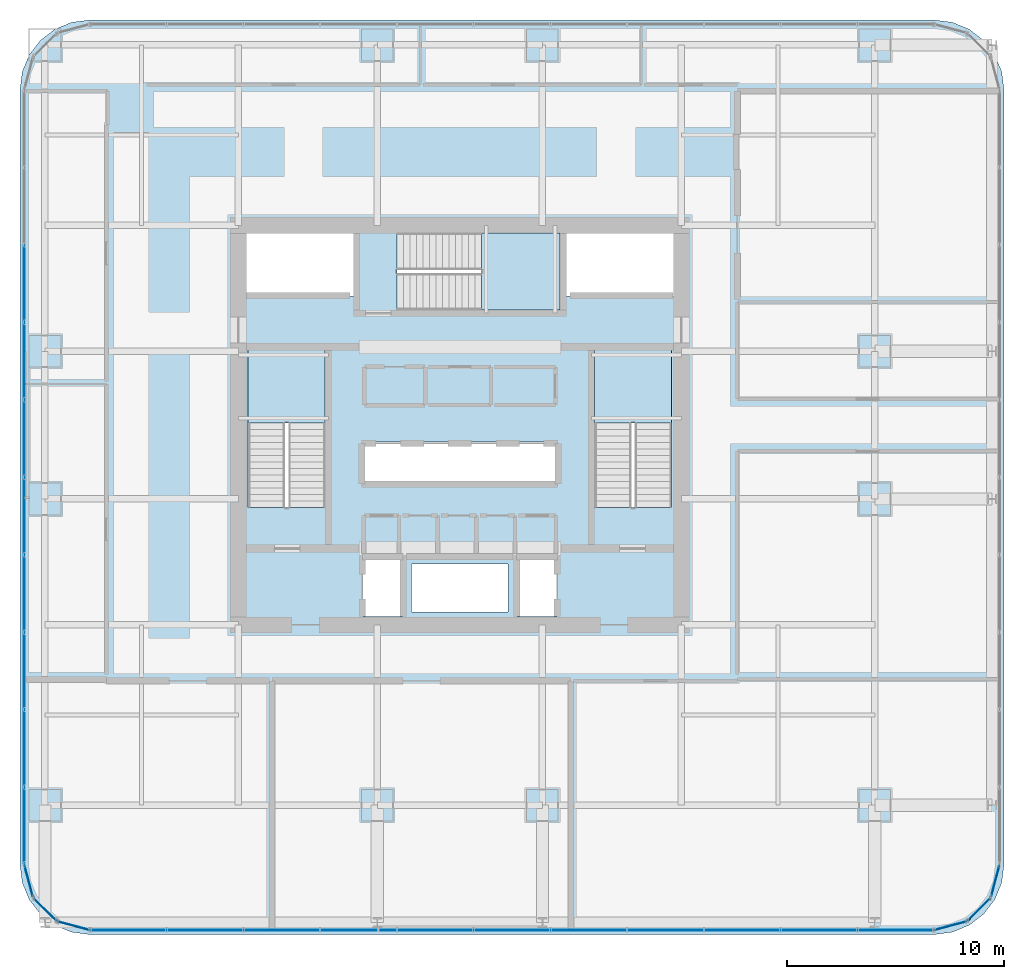
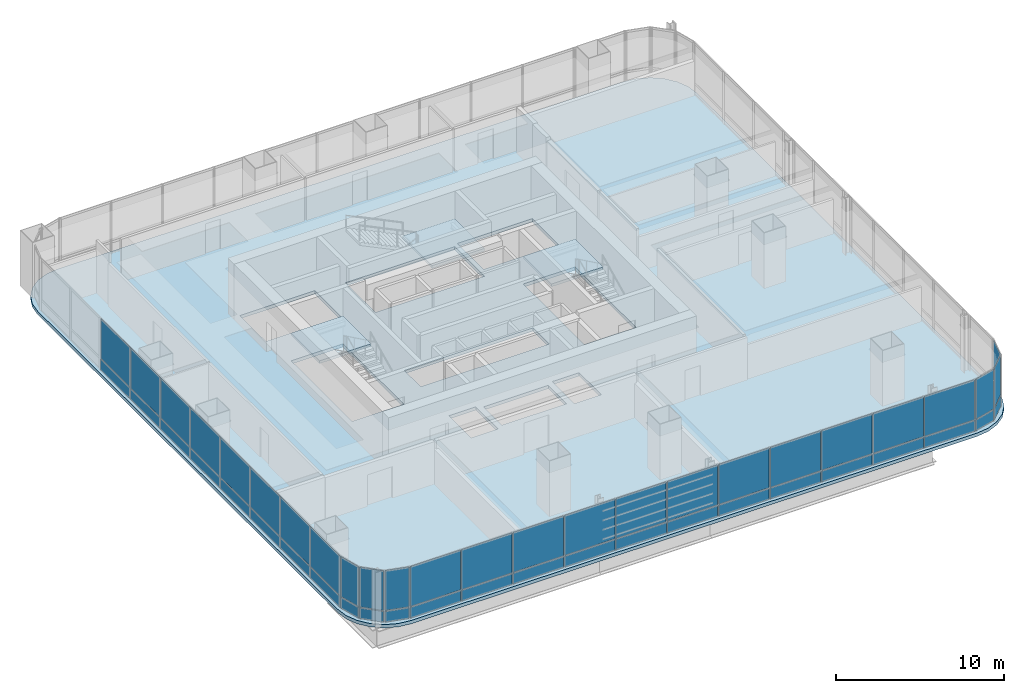
# One storey, part 25 of 34: 50 plates, 4 slabs, 11 elements without a shape of their own.
"""IFC4 building model written with IfcOpenShell, lengths in metres."""

import ifcopenshell
import ifcopenshell.guid

model = None  # the IFC model being written
_history = None  # IfcOwnerHistory: only IFC2X3 demands one
_inside = {}  # id of a spatial element -> (the spatial element, [elements in it])
_under = {}  # id of a project, library or spatial element -> (it, [spatial elements below it])
_declared = {}  # id of a project -> (the project, [libraries it declares])
_typed = {}  # id of a type object -> (the type object, [elements of that type])
_made_of = {}  # id of a material, layer set ... -> (it, [elements and type objects made of it])


def new_model(schema):
    """Start an empty IFC model of exactly this schema.

    Asked for "IFC4X3", IfcOpenShell would pick the latest addendum, in which some entities
    have other attributes; the version numbers below select the first issue.
    IFC2X3 requires an IfcOwnerHistory on every rooted entity: one is made here for all.
    """
    global model, _history
    if schema == "IFC4X3":
        model = ifcopenshell.file(schema_version=(4, 3, 0, 0))
    else:
        model = ifcopenshell.file(schema=schema)
    _inside.clear()
    _under.clear()
    _declared.clear()
    _typed.clear()
    _made_of.clear()
    _history = None
    if model.schema == "IFC2X3":
        org = make("IfcOrganization", Name="unknown")
        user = make(
            "IfcPersonAndOrganization",
            ThePerson=make("IfcPerson", FamilyName="unknown"),
            TheOrganization=org,
        )
        app = make(
            "IfcApplication",
            ApplicationDeveloper=org,
            Version="unknown",
            ApplicationFullName="unknown",
            ApplicationIdentifier="unknown",
        )
        _history = make(
            "IfcOwnerHistory",
            OwningUser=user,
            OwningApplication=app,
            ChangeAction="ADDED",
            CreationDate=0,
        )
    return model


def make(cls, **values):
    """One entity of the class cls with the attributes given. An attribute that is None is left unset."""
    return model.create_entity(
        cls, **{name: value for name, value in values.items() if value is not None}
    )


def rooted(cls, **values):
    """An entity with a GlobalId (a new one), such as an element, a storey or a relation."""
    return make(cls, GlobalId=ifcopenshell.guid.new(), OwnerHistory=_history, **values)


def si_unit(unit_type, name, prefix=None):
    """IfcSIUnit, for example si_unit("LENGTHUNIT", "METRE", prefix="MILLI")."""
    return make("IfcSIUnit", UnitType=unit_type, Prefix=prefix, Name=name)


def assignment(units):
    """IfcUnitAssignment: the units of a project."""
    return None if units is None else make("IfcUnitAssignment", Units=units)


def point(xyz):
    """IfcCartesianPoint."""
    return None if xyz is None else make("IfcCartesianPoint", Coordinates=xyz)


def direction(xyz):
    """IfcDirection."""
    return None if xyz is None else make("IfcDirection", DirectionRatios=xyz)


def frame(location, z_axis=None, x_axis=None):
    """IfcAxis2Placement3D, a coordinate frame: its origin and axes. An axis left out is left unset."""
    return make(
        "IfcAxis2Placement3D",
        Location=point(location),
        Axis=direction(z_axis),
        RefDirection=direction(x_axis),
    )


def frame_2d(location, x_axis=None):
    """IfcAxis2Placement2D, a coordinate frame in the plane: its origin and x axis."""
    return make(
        "IfcAxis2Placement2D", Location=point(location), RefDirection=direction(x_axis)
    )


def origin():
    """The frame at (0, 0, 0) with its axes left unset."""
    return frame((0.0, 0.0, 0.0))


def origin_2d():
    """The frame at (0, 0) in the plane with its x axis left unset."""
    return frame_2d((0.0, 0.0))


def place(relative_to, where):
    """IfcLocalPlacement: puts the frame where relative to a parent placement (None: the world)."""
    return make(
        "IfcLocalPlacement", PlacementRelTo=relative_to, RelativePlacement=where
    )


def context(
    kind, dimensions, precision=None, world=None, true_north=None, identifier=None
):
    """IfcGeometricRepresentationContext, for example the 3D "Model" context."""
    return make(
        "IfcGeometricRepresentationContext",
        ContextIdentifier=identifier,
        ContextType=kind,
        CoordinateSpaceDimension=dimensions,
        Precision=precision,
        WorldCoordinateSystem=world,
        TrueNorth=true_north,
    )


def subcontext(parent, identifier, kind, view, scale=None):
    """IfcGeometricRepresentationSubContext, for example "Body" below "Model"."""
    return make(
        "IfcGeometricRepresentationSubContext",
        ContextIdentifier=identifier,
        ContextType=kind,
        ParentContext=parent,
        TargetScale=scale,
        TargetView=view,
    )


def project(units=None, contexts=None):
    """IfcProject with its units and contexts."""
    return rooted(
        "IfcProject",
        Name="project",
        RepresentationContexts=contexts,
        UnitsInContext=assignment(units),
    )


def spatial(cls, under=None, at=None, **own):
    """A site, building, storey or space (cls), placed at a placement, below another one or the project."""
    s = rooted(cls, ObjectPlacement=at, **own)
    if under is not None:
        _under.setdefault(under.id(), (under, []))[1].append(s)
    return s


def polyline(points):
    """IfcPolyline through the points."""
    return make("IfcPolyline", Points=[point(p) for p in points])


def profile(cls, at=None, kind="AREA", **sizes):
    """A parametric profile (cls). Its sizes go by their IFC names, for example OverallWidth=200.0."""
    return make(cls, ProfileType=kind, Position=at, **sizes)


def rectangle(**sizes):
    """IfcRectangleProfileDef."""
    return profile("IfcRectangleProfileDef", **sizes)


def outline(outer, holes=None, kind="AREA"):
    """IfcArbitraryClosedProfileDef: a profile drawn as a closed curve; with holes, ...WithVoids."""
    if holes is None:
        return make("IfcArbitraryClosedProfileDef", ProfileType=kind, OuterCurve=outer)
    return make(
        "IfcArbitraryProfileDefWithVoids",
        ProfileType=kind,
        OuterCurve=outer,
        InnerCurves=holes,
    )


def extrude(swept, where, along, depth):
    """IfcExtrudedAreaSolid: the profile swept, set in the frame where, extruded along a direction by depth."""
    return make(
        "IfcExtrudedAreaSolid",
        SweptArea=swept,
        Position=where,
        ExtrudedDirection=direction(along),
        Depth=depth,
    )


def shape(context_of_items, identifier, shape_type, items):
    """IfcShapeRepresentation: the items that make up one representation, for example the "Body"."""
    return make(
        "IfcShapeRepresentation",
        ContextOfItems=context_of_items,
        RepresentationIdentifier=identifier,
        RepresentationType=shape_type,
        Items=items,
    )


def material(Name=None, Category=None):
    """IfcMaterial."""
    return make("IfcMaterial", Name=Name, Category=Category)


def layer(
    of_material, thickness, ventilated=None, Name=None, Category=None, Priority=None
):
    """IfcMaterialLayer: one layer of a wall or slab, of a material (None: an air gap)."""
    return make(
        "IfcMaterialLayer",
        Material=of_material,
        LayerThickness=thickness,
        IsVentilated=ventilated,
        Name=Name,
        Category=Category,
        Priority=Priority,
    )


def layer_set(layers, Name=None):
    """IfcMaterialLayerSet."""
    return make("IfcMaterialLayerSet", MaterialLayers=layers, LayerSetName=Name)


def made_of(thing, what):
    """Note that an element or type object is made of a material, layer set ...; save() writes the relation."""
    if what is not None:
        _made_of.setdefault(what.id(), (what, []))[1].append(thing)
    return thing


def type_object(cls, material=None, **own):
    """A type object (cls), such as IfcWallType, which elements share."""
    return made_of(rooted(cls, **own), material)


def element(
    cls,
    number,
    at=None,
    inside=None,
    cuts=None,
    type_object=None,
    material=None,
    context=None,
    identifier="Body",
    shape_type=None,
    held_by="IfcProductDefinitionShape",
    body=None,
    shapes=None,
    **own,
):
    """One element of the class cls, such as IfcWall. Its Tag is "e" and its number.

    at: its placement. inside: the storey or other place that contains it. cuts: it is an
    opening in that element (IfcRelVoidsElement). A single representation is given by context,
    identifier, shape_type and body (its items); several are given by shapes. held_by: the class
    of the entity that holds the representations. save() writes the other relations.
    """
    e = rooted(cls, Tag="e%d" % number, ObjectPlacement=at, **own)
    if body is not None:
        shapes = [shape(context, identifier, shape_type, body)]
    if shapes is not None:
        e.Representation = make(held_by, Representations=shapes)
    if inside is not None:
        _inside.setdefault(inside.id(), (inside, []))[1].append(e)
    if cuts is not None:
        rooted(
            "IfcRelVoidsElement", RelatingBuildingElement=cuts, RelatedOpeningElement=e
        )
    if type_object is not None:
        _typed.setdefault(type_object.id(), (type_object, []))[1].append(e)
    return made_of(e, material)


def aggregate(whole, parts):
    """IfcRelAggregates: a whole, such as a stair, and the parts it consists of."""
    return rooted("IfcRelAggregates", RelatingObject=whole, RelatedObjects=parts)


def save(model, path):
    """Write the relations noted so far, then the file.

    IfcRelAggregates (storeys below a building ...), IfcRelContainedInSpatialStructure (elements
    in a storey), IfcRelDefinesByType, IfcRelAssociatesMaterial and IfcRelDeclares: one each for
    every whole, place, type object, material and project.
    """
    for whole, parts in _under.values():
        aggregate(whole, parts)
    for where, things in _inside.values():
        rooted(
            "IfcRelContainedInSpatialStructure",
            RelatedElements=things,
            RelatingStructure=where,
        )
    for kind, things in _typed.values():
        rooted("IfcRelDefinesByType", RelatedObjects=things, RelatingType=kind)
    for what, things in _made_of.values():
        rooted("IfcRelAssociatesMaterial", RelatedObjects=things, RelatingMaterial=what)
    for by, libraries in _declared.values():
        rooted("IfcRelDeclares", RelatingContext=by, RelatedDefinitions=libraries)
    model.write(path)


model = new_model("IFC4")

# Units and contexts
model_context = context("Model", 3, precision=1e-05, world=origin(), true_north=direction((0.0, 1.0)))
body_context = subcontext(model_context, "Body", "Model", "MODEL_VIEW")
ifc_project = project(units=[si_unit("LENGTHUNIT", "METRE"), si_unit("AREAUNIT", "SQUARE_METRE"), si_unit("VOLUMEUNIT", "CUBIC_METRE"), si_unit("PLANEANGLEUNIT", "RADIAN"), si_unit("MASSUNIT", "GRAM", prefix="KILO")], contexts=[model_context])

# Site, building, storey
site_placement = place(None, origin())
site = spatial("IfcSite", under=ifc_project, at=site_placement, CompositionType="ELEMENT")
building_placement = place(site_placement, origin())
building = spatial("IfcBuilding", under=site, at=building_placement, Name="Punatoya Terracotta Tower", CompositionType="ELEMENT")
storey_placement = place(building_placement, frame((0.0, 0.0, 80.85009765625)))
storey = spatial("IfcBuildingStorey", under=building, at=storey_placement, Name="L18", CompositionType="ELEMENT", Elevation=80.85009765625)

# Curtain wall, plates
ifc_material_1 = material(Name="Aluminium 6063-T6 + Double Low-E Glass", Category="aluminium")
curtain_wall_type = type_object("IfcCurtainWallType", Name="CW-M1", PredefinedType="NOTDEFINED", material=ifc_material_1)
curtain_wall_1_placement = place(storey_placement, origin())
curtain_wall_1 = element("IfcCurtainWall", 1, at=curtain_wall_1_placement, inside=storey, type_object=curtain_wall_type, Name="L18 Curtain Wall CW-L18-S01-1", PredefinedType="NOTDEFINED")
ifc_material_2 = material(Name="Double Low-E Clear Vision Glass", Category="glass")
ifc_layer_1 = layer(ifc_material_2, 0.028076171875)
ifc_layer_set_1 = layer_set([ifc_layer_1], Name="Double Low-E Clear Vision Glass")
plate_type_1 = type_object("IfcPlateType", Name="PLT-GLZ-28", PredefinedType="CURTAIN_PANEL", material=ifc_layer_set_1)
plate_1_placement = place(storey_placement, frame((-15.27001953125, -23.25, 0.889892578125), z_axis=(0.0, 0.0, 1.0), x_axis=(1.0, 0.0, 0.0)))
plate_1 = element("IfcPlate", 2, at=plate_1_placement, type_object=plate_type_1, Name="CW-L18-S01-1 Vision Glass Panel 1", PredefinedType="CURTAIN_PANEL", context=body_context, shape_type="SweptSolid", body=[
    extrude(rectangle(XDim=3.448974609375, YDim=0.028076171875, at=origin_2d()), origin(), (0.0, 0.0, 1.0), 2.8798828125),
])
plate_2_placement = place(storey_placement, frame((-11.73583984375, -23.25, 0.889892578125), z_axis=(0.0, 0.0, 1.0), x_axis=(1.0, 0.0, 0.0)))
plate_2 = element("IfcPlate", 3, at=plate_2_placement, type_object=plate_type_1, Name="CW-L18-S01-1 Vision Glass Panel 2", PredefinedType="CURTAIN_PANEL", context=body_context, shape_type="SweptSolid", body=[
    extrude(rectangle(XDim=3.448974609375, YDim=0.028076171875, at=origin_2d()), origin(), (0.0, 0.0, 1.0), 2.8798828125),
])
plate_3_placement = place(storey_placement, frame((-8.201904296875, -23.25, 0.889892578125), z_axis=(0.0, 0.0, 1.0), x_axis=(1.0, 0.0, 0.0)))
plate_3 = element("IfcPlate", 4, at=plate_3_placement, type_object=plate_type_1, Name="CW-L18-S01-1 Vision Glass Panel 3", PredefinedType="CURTAIN_PANEL", context=body_context, shape_type="SweptSolid", body=[
    extrude(rectangle(XDim=3.448974609375, YDim=0.028076171875, at=origin_2d()), origin(), (0.0, 0.0, 1.0), 2.8798828125),
])
plate_4_placement = place(storey_placement, frame((-4.66796875, -23.25, 0.889892578125), z_axis=(0.0, 0.0, 1.0), x_axis=(1.0, 0.0, 0.0)))
plate_4 = element("IfcPlate", 5, at=plate_4_placement, type_object=plate_type_1, Name="CW-L18-S01-1 Vision Glass Panel 4", PredefinedType="CURTAIN_PANEL", context=body_context, shape_type="SweptSolid", body=[
    extrude(rectangle(XDim=3.448974609375, YDim=0.028076171875, at=origin_2d()), origin(), (0.0, 0.0, 1.0), 2.8798828125),
])
plate_5_placement = place(storey_placement, frame((-1.134033203125, -23.25, 0.889892578125), z_axis=(0.0, 0.0, 1.0), x_axis=(1.0, 0.0, 0.0)))
plate_5 = element("IfcPlate", 6, at=plate_5_placement, type_object=plate_type_1, Name="CW-L18-S01-1 Vision Glass Panel 5", PredefinedType="CURTAIN_PANEL", context=body_context, shape_type="SweptSolid", body=[
    extrude(rectangle(XDim=3.448974609375, YDim=0.028076171875, at=origin_2d()), origin(), (0.0, 0.0, 1.0), 2.8798828125),
])
plate_6_placement = place(storey_placement, frame((2.39990234375, -23.25, 0.889892578125), z_axis=(0.0, 0.0, 1.0), x_axis=(1.0, 0.0, 0.0)))
plate_6 = element("IfcPlate", 7, at=plate_6_placement, type_object=plate_type_1, Name="CW-L18-S01-1 Vision Glass Panel 6", PredefinedType="CURTAIN_PANEL", context=body_context, shape_type="SweptSolid", body=[
    extrude(rectangle(XDim=3.448974609375, YDim=0.028076171875, at=origin_2d()), origin(), (0.0, 0.0, 1.0), 2.8798828125),
])
plate_7_placement = place(storey_placement, frame((5.93408203125, -23.25, 0.889892578125), z_axis=(0.0, 0.0, 1.0), x_axis=(1.0, 0.0, 0.0)))
plate_7 = element("IfcPlate", 8, at=plate_7_placement, type_object=plate_type_1, Name="CW-L18-S01-1 Vision Glass Panel 7", PredefinedType="CURTAIN_PANEL", context=body_context, shape_type="SweptSolid", body=[
    extrude(rectangle(XDim=3.448974609375, YDim=0.028076171875, at=origin_2d()), origin(), (0.0, 0.0, 1.0), 2.8798828125),
])
plate_8_placement = place(storey_placement, frame((9.468017578125, -23.25, 0.889892578125), z_axis=(0.0, 0.0, 1.0), x_axis=(1.0, 0.0, 0.0)))
plate_8 = element("IfcPlate", 9, at=plate_8_placement, type_object=plate_type_1, Name="CW-L18-S01-1 Vision Glass Panel 8", PredefinedType="CURTAIN_PANEL", context=body_context, shape_type="SweptSolid", body=[
    extrude(rectangle(XDim=3.448974609375, YDim=0.028076171875, at=origin_2d()), origin(), (0.0, 0.0, 1.0), 2.8798828125),
])
plate_9_placement = place(storey_placement, frame((13.001953125, -23.25, 0.889892578125), z_axis=(0.0, 0.0, 1.0), x_axis=(1.0, 0.0, 0.0)))
plate_9 = element("IfcPlate", 10, at=plate_9_placement, type_object=plate_type_1, Name="CW-L18-S01-1 Vision Glass Panel 9", PredefinedType="CURTAIN_PANEL", context=body_context, shape_type="SweptSolid", body=[
    extrude(rectangle(XDim=3.448974609375, YDim=0.028076171875, at=origin_2d()), origin(), (0.0, 0.0, 1.0), 2.8798828125),
])
plate_10_placement = place(storey_placement, frame((16.535888671875, -23.25, 0.889892578125), z_axis=(0.0, 0.0, 1.0), x_axis=(1.0, 0.0, 0.0)))
plate_10 = element("IfcPlate", 11, at=plate_10_placement, type_object=plate_type_1, Name="CW-L18-S01-1 Vision Glass Panel 10", PredefinedType="CURTAIN_PANEL", context=body_context, shape_type="SweptSolid", body=[
    extrude(rectangle(XDim=3.448974609375, YDim=0.028076171875, at=origin_2d()), origin(), (0.0, 0.0, 1.0), 2.8798828125),
])
plate_11_placement = place(storey_placement, frame((20.06982421875, -23.25, 0.889892578125), z_axis=(0.0, 0.0, 1.0), x_axis=(1.0, 0.0, 0.0)))
plate_11 = element("IfcPlate", 12, at=plate_11_placement, type_object=plate_type_1, Name="CW-L18-S01-1 Vision Glass Panel 11", PredefinedType="CURTAIN_PANEL", context=body_context, shape_type="SweptSolid", body=[
    extrude(rectangle(XDim=3.448974609375, YDim=0.028076171875, at=origin_2d()), origin(), (0.0, 0.0, 1.0), 2.8798828125),
])

# Curtain wall, plate
curtain_wall_2_placement = place(storey_placement, origin())
curtain_wall_2 = element("IfcCurtainWall", 13, at=curtain_wall_2_placement, inside=storey, type_object=curtain_wall_type, Name="L18 Curtain Wall CW-L18-CRN02", PredefinedType="NOTDEFINED")
plate_12_placement = place(storey_placement, frame((22.593017578125, -23.04833984375, 0.889892578125), z_axis=(0.0, 0.0, 1.0), x_axis=(0.966213877436, 0.257741620719, 0.0)))
plate_12 = element("IfcPlate", 14, at=plate_12_placement, type_object=plate_type_1, Name="CW-L18-CRN02 Vision Glass Panel 1", PredefinedType="CURTAIN_PANEL", context=body_context, shape_type="SweptSolid", body=[
    extrude(rectangle(XDim=1.47998046875, YDim=0.028076171875, at=origin_2d()), origin(), (0.0, 0.0, 1.0), 2.8798828125),
])

curtain_wall_3_placement = place(storey_placement, origin())
curtain_wall_3 = element("IfcCurtainWall", 15, at=curtain_wall_3_placement, inside=storey, type_object=curtain_wall_type, Name="L18 Curtain Wall CW-L18-CRN03", PredefinedType="NOTDEFINED")
plate_13_placement = place(storey_placement, frame((23.89794921875, -22.2978515625, 0.889892578125), z_axis=(0.0, 0.0, 1.0), x_axis=(0.707106781187, 0.707106781187, 0.0)))
plate_13 = element("IfcPlate", 16, at=plate_13_placement, type_object=plate_type_1, Name="CW-L18-CRN03 Vision Glass Panel 1", PredefinedType="CURTAIN_PANEL", context=body_context, shape_type="SweptSolid", body=[
    extrude(rectangle(XDim=1.467041015625, YDim=0.028076171875, at=origin_2d()), origin(), (0.0, 0.0, 1.0), 2.8798828125),
])

curtain_wall_4_placement = place(storey_placement, origin())
curtain_wall_4 = element("IfcCurtainWall", 17, at=curtain_wall_4_placement, inside=storey, type_object=curtain_wall_type, Name="L18 Curtain Wall CW-L18-CRN04", PredefinedType="NOTDEFINED")
plate_14_placement = place(storey_placement, frame((24.648193359375, -20.992919921875, 0.889892578125), z_axis=(0.0, 0.0, 1.0), x_axis=(0.257741620719, 0.966213877436, 0.0)))
plate_14 = element("IfcPlate", 18, at=plate_14_placement, type_object=plate_type_1, Name="CW-L18-CRN04 Vision Glass Panel 1", PredefinedType="CURTAIN_PANEL", context=body_context, shape_type="SweptSolid", body=[
    extrude(rectangle(XDim=1.47998046875, YDim=0.028076171875, at=origin_2d()), origin(), (0.0, 0.0, 1.0), 2.8798828125),
])

# Curtain wall, plates
curtain_wall_5_placement = place(storey_placement, origin())
curtain_wall_5 = element("IfcCurtainWall", 19, at=curtain_wall_5_placement, inside=storey, type_object=curtain_wall_type, Name="L18 Curtain Wall CW-L18-W13-1", PredefinedType="NOTDEFINED")
plate_15_placement = place(storey_placement, frame((-20.050048828125, 6.518310546875, 0.889892578125), z_axis=(0.0, 0.0, 1.0), x_axis=(0.0, -1.0, 0.0)))
plate_15 = element("IfcPlate", 20, at=plate_15_placement, type_object=plate_type_1, Name="CW-L18-W13-1 Vision Glass Panel 3", PredefinedType="CURTAIN_PANEL", context=body_context, shape_type="SweptSolid", body=[
    extrude(rectangle(XDim=3.482421875, YDim=0.028076171875, at=origin_2d()), origin(), (0.0, 0.0, 1.0), 2.8798828125),
])
plate_16_placement = place(storey_placement, frame((-20.050048828125, 2.951171875, 0.889892578125), z_axis=(0.0, 0.0, 1.0), x_axis=(0.0, -1.0, 0.0)))
plate_16 = element("IfcPlate", 21, at=plate_16_placement, type_object=plate_type_1, Name="CW-L18-W13-1 Vision Glass Panel 4", PredefinedType="CURTAIN_PANEL", context=body_context, shape_type="SweptSolid", body=[
    extrude(rectangle(XDim=3.482421875, YDim=0.028076171875, at=origin_2d()), origin(), (0.0, 0.0, 1.0), 2.8798828125),
])
plate_17_placement = place(storey_placement, frame((-20.050048828125, -0.6162109375, 0.889892578125), z_axis=(0.0, 0.0, 1.0), x_axis=(0.0, -1.0, 0.0)))
plate_17 = element("IfcPlate", 22, at=plate_17_placement, type_object=plate_type_1, Name="CW-L18-W13-1 Vision Glass Panel 5", PredefinedType="CURTAIN_PANEL", context=body_context, shape_type="SweptSolid", body=[
    extrude(rectangle(XDim=3.482421875, YDim=0.028076171875, at=origin_2d()), origin(), (0.0, 0.0, 1.0), 2.8798828125),
])
plate_18_placement = place(storey_placement, frame((-20.050048828125, -4.18359375, 0.889892578125), z_axis=(0.0, 0.0, 1.0), x_axis=(0.0, -1.0, 0.0)))
plate_18 = element("IfcPlate", 23, at=plate_18_placement, type_object=plate_type_1, Name="CW-L18-W13-1 Vision Glass Panel 6", PredefinedType="CURTAIN_PANEL", context=body_context, shape_type="SweptSolid", body=[
    extrude(rectangle(XDim=3.482421875, YDim=0.028076171875, at=origin_2d()), origin(), (0.0, 0.0, 1.0), 2.8798828125),
])
plate_19_placement = place(storey_placement, frame((-20.050048828125, -7.751220703125, 0.889892578125), z_axis=(0.0, 0.0, 1.0), x_axis=(0.0, -1.0, 0.0)))
plate_19 = element("IfcPlate", 24, at=plate_19_placement, type_object=plate_type_1, Name="CW-L18-W13-1 Vision Glass Panel 7", PredefinedType="CURTAIN_PANEL", context=body_context, shape_type="SweptSolid", body=[
    extrude(rectangle(XDim=3.482421875, YDim=0.028076171875, at=origin_2d()), origin(), (0.0, 0.0, 1.0), 2.8798828125),
])
plate_20_placement = place(storey_placement, frame((-20.050048828125, -11.318359375, 0.889892578125), z_axis=(0.0, 0.0, 1.0), x_axis=(0.0, -1.0, 0.0)))
plate_20 = element("IfcPlate", 25, at=plate_20_placement, type_object=plate_type_1, Name="CW-L18-W13-1 Vision Glass Panel 8", PredefinedType="CURTAIN_PANEL", context=body_context, shape_type="SweptSolid", body=[
    extrude(rectangle(XDim=3.482421875, YDim=0.028076171875, at=origin_2d()), origin(), (0.0, 0.0, 1.0), 2.8798828125),
])
plate_21_placement = place(storey_placement, frame((-20.050048828125, -14.8857421875, 0.889892578125), z_axis=(0.0, 0.0, 1.0), x_axis=(0.0, -1.0, 0.0)))
plate_21 = element("IfcPlate", 26, at=plate_21_placement, type_object=plate_type_1, Name="CW-L18-W13-1 Vision Glass Panel 9", PredefinedType="CURTAIN_PANEL", context=body_context, shape_type="SweptSolid", body=[
    extrude(rectangle(XDim=3.482421875, YDim=0.028076171875, at=origin_2d()), origin(), (0.0, 0.0, 1.0), 2.8798828125),
])
plate_22_placement = place(storey_placement, frame((-20.050048828125, -18.453125, 0.889892578125), z_axis=(0.0, 0.0, 1.0), x_axis=(0.0, -1.0, 0.0)))
plate_22 = element("IfcPlate", 27, at=plate_22_placement, type_object=plate_type_1, Name="CW-L18-W13-1 Vision Glass Panel 10", PredefinedType="CURTAIN_PANEL", context=body_context, shape_type="SweptSolid", body=[
    extrude(rectangle(XDim=3.482421875, YDim=0.028076171875, at=origin_2d()), origin(), (0.0, 0.0, 1.0), 2.8798828125),
])

# Curtain wall, plate
curtain_wall_6_placement = place(storey_placement, origin())
curtain_wall_6 = element("IfcCurtainWall", 28, at=curtain_wall_6_placement, inside=storey, type_object=curtain_wall_type, Name="L18 Curtain Wall CW-L18-CRN14", PredefinedType="NOTDEFINED")
plate_23_placement = place(storey_placement, frame((-19.848388671875, -20.992919921875, 0.889892578125), z_axis=(0.0, 0.0, 1.0), x_axis=(0.257741620719, -0.966213877436, 0.0)))
plate_23 = element("IfcPlate", 29, at=plate_23_placement, type_object=plate_type_1, Name="CW-L18-CRN14 Vision Glass Panel 1", PredefinedType="CURTAIN_PANEL", context=body_context, shape_type="SweptSolid", body=[
    extrude(rectangle(XDim=1.47998046875, YDim=0.028076171875, at=origin_2d()), origin(), (0.0, 0.0, 1.0), 2.8798828125),
])

curtain_wall_7_placement = place(storey_placement, origin())
curtain_wall_7 = element("IfcCurtainWall", 30, at=curtain_wall_7_placement, inside=storey, type_object=curtain_wall_type, Name="L18 Curtain Wall CW-L18-CRN15", PredefinedType="NOTDEFINED")
plate_24_placement = place(storey_placement, frame((-19.097900390625, -22.2978515625, 0.889892578125), z_axis=(0.0, 0.0, 1.0), x_axis=(0.707106781187, -0.707106781187, 0.0)))
plate_24 = element("IfcPlate", 31, at=plate_24_placement, type_object=plate_type_1, Name="CW-L18-CRN15 Vision Glass Panel 1", PredefinedType="CURTAIN_PANEL", context=body_context, shape_type="SweptSolid", body=[
    extrude(rectangle(XDim=1.467041015625, YDim=0.028076171875, at=origin_2d()), origin(), (0.0, 0.0, 1.0), 2.8798828125),
])

curtain_wall_8_placement = place(storey_placement, origin())
curtain_wall_8 = element("IfcCurtainWall", 32, at=curtain_wall_8_placement, inside=storey, type_object=curtain_wall_type, Name="L18 Curtain Wall CW-L18-CRN16", PredefinedType="NOTDEFINED")
plate_25_placement = place(storey_placement, frame((-17.79296875, -23.04833984375, 0.889892578125), z_axis=(0.0, 0.0, 1.0), x_axis=(0.966213877436, -0.257741620719, 0.0)))
plate_25 = element("IfcPlate", 33, at=plate_25_placement, type_object=plate_type_1, Name="CW-L18-CRN16 Vision Glass Panel 1", PredefinedType="CURTAIN_PANEL", context=body_context, shape_type="SweptSolid", body=[
    extrude(rectangle(XDim=1.47998046875, YDim=0.028076171875, at=origin_2d()), origin(), (0.0, 0.0, 1.0), 2.8798828125),
])

# Plate
ifc_material_3 = material(Name="Insulated Terracotta-Backed Spandrel Panel", Category="masonry")
ifc_layer_2 = layer(ifc_material_3, 0.044921875)
ifc_layer_set_2 = layer_set([ifc_layer_2], Name="Insulated Terracotta-Backed Spandrel Panel")
plate_type_2 = type_object("IfcPlateType", Name="PLT-SPN-45", PredefinedType="CURTAIN_PANEL", material=ifc_layer_set_2)
plate_26_placement = place(storey_placement, frame((-15.27001953125, -23.25, 0.0400390625), z_axis=(0.0, 0.0, 1.0), x_axis=(1.0, 0.0, 0.0)))
plate_26 = element("IfcPlate", 34, at=plate_26_placement, type_object=plate_type_2, Name="CW-L18-S01-1 Terracotta Spandrel Panel 1", PredefinedType="CURTAIN_PANEL", context=body_context, shape_type="SweptSolid", body=[
    extrude(rectangle(XDim=3.448974609375, YDim=0.044921875, at=origin_2d()), origin(), (0.0, 0.0, 1.0), 0.77490234375),
])

plate_27_placement = place(storey_placement, frame((-11.73583984375, -23.25, 0.0400390625), z_axis=(0.0, 0.0, 1.0), x_axis=(1.0, 0.0, 0.0)))
plate_27 = element("IfcPlate", 35, at=plate_27_placement, type_object=plate_type_2, Name="CW-L18-S01-1 Terracotta Spandrel Panel 2", PredefinedType="CURTAIN_PANEL", context=body_context, shape_type="SweptSolid", body=[
    extrude(rectangle(XDim=3.448974609375, YDim=0.044921875, at=origin_2d()), origin(), (0.0, 0.0, 1.0), 0.77490234375),
])

plate_28_placement = place(storey_placement, frame((-8.201904296875, -23.25, 0.0400390625), z_axis=(0.0, 0.0, 1.0), x_axis=(1.0, 0.0, 0.0)))
plate_28 = element("IfcPlate", 36, at=plate_28_placement, type_object=plate_type_2, Name="CW-L18-S01-1 Terracotta Spandrel Panel 3", PredefinedType="CURTAIN_PANEL", context=body_context, shape_type="SweptSolid", body=[
    extrude(rectangle(XDim=3.448974609375, YDim=0.044921875, at=origin_2d()), origin(), (0.0, 0.0, 1.0), 0.77490234375),
])

plate_29_placement = place(storey_placement, frame((-4.66796875, -23.25, 0.0400390625), z_axis=(0.0, 0.0, 1.0), x_axis=(1.0, 0.0, 0.0)))
plate_29 = element("IfcPlate", 37, at=plate_29_placement, type_object=plate_type_2, Name="CW-L18-S01-1 Terracotta Spandrel Panel 4", PredefinedType="CURTAIN_PANEL", context=body_context, shape_type="SweptSolid", body=[
    extrude(rectangle(XDim=3.448974609375, YDim=0.044921875, at=origin_2d()), origin(), (0.0, 0.0, 1.0), 0.77490234375),
])

plate_30_placement = place(storey_placement, frame((-1.134033203125, -23.25, 0.0400390625), z_axis=(0.0, 0.0, 1.0), x_axis=(1.0, 0.0, 0.0)))
plate_30 = element("IfcPlate", 38, at=plate_30_placement, type_object=plate_type_2, Name="CW-L18-S01-1 Terracotta Spandrel Panel 5", PredefinedType="CURTAIN_PANEL", context=body_context, shape_type="SweptSolid", body=[
    extrude(rectangle(XDim=3.448974609375, YDim=0.044921875, at=origin_2d()), origin(), (0.0, 0.0, 1.0), 0.77490234375),
])

plate_31_placement = place(storey_placement, frame((2.39990234375, -23.25, 0.0400390625), z_axis=(0.0, 0.0, 1.0), x_axis=(1.0, 0.0, 0.0)))
plate_31 = element("IfcPlate", 39, at=plate_31_placement, type_object=plate_type_2, Name="CW-L18-S01-1 Terracotta Spandrel Panel 6", PredefinedType="CURTAIN_PANEL", context=body_context, shape_type="SweptSolid", body=[
    extrude(rectangle(XDim=3.448974609375, YDim=0.044921875, at=origin_2d()), origin(), (0.0, 0.0, 1.0), 0.77490234375),
])

plate_32_placement = place(storey_placement, frame((5.93408203125, -23.25, 0.0400390625), z_axis=(0.0, 0.0, 1.0), x_axis=(1.0, 0.0, 0.0)))
plate_32 = element("IfcPlate", 40, at=plate_32_placement, type_object=plate_type_2, Name="CW-L18-S01-1 Terracotta Spandrel Panel 7", PredefinedType="CURTAIN_PANEL", context=body_context, shape_type="SweptSolid", body=[
    extrude(rectangle(XDim=3.448974609375, YDim=0.044921875, at=origin_2d()), origin(), (0.0, 0.0, 1.0), 0.77490234375),
])

plate_33_placement = place(storey_placement, frame((9.468017578125, -23.25, 0.0400390625), z_axis=(0.0, 0.0, 1.0), x_axis=(1.0, 0.0, 0.0)))
plate_33 = element("IfcPlate", 41, at=plate_33_placement, type_object=plate_type_2, Name="CW-L18-S01-1 Terracotta Spandrel Panel 8", PredefinedType="CURTAIN_PANEL", context=body_context, shape_type="SweptSolid", body=[
    extrude(rectangle(XDim=3.448974609375, YDim=0.044921875, at=origin_2d()), origin(), (0.0, 0.0, 1.0), 0.77490234375),
])

plate_34_placement = place(storey_placement, frame((13.001953125, -23.25, 0.0400390625), z_axis=(0.0, 0.0, 1.0), x_axis=(1.0, 0.0, 0.0)))
plate_34 = element("IfcPlate", 42, at=plate_34_placement, type_object=plate_type_2, Name="CW-L18-S01-1 Terracotta Spandrel Panel 9", PredefinedType="CURTAIN_PANEL", context=body_context, shape_type="SweptSolid", body=[
    extrude(rectangle(XDim=3.448974609375, YDim=0.044921875, at=origin_2d()), origin(), (0.0, 0.0, 1.0), 0.77490234375),
])

plate_35_placement = place(storey_placement, frame((16.535888671875, -23.25, 0.0400390625), z_axis=(0.0, 0.0, 1.0), x_axis=(1.0, 0.0, 0.0)))
plate_35 = element("IfcPlate", 43, at=plate_35_placement, type_object=plate_type_2, Name="CW-L18-S01-1 Terracotta Spandrel Panel 10", PredefinedType="CURTAIN_PANEL", context=body_context, shape_type="SweptSolid", body=[
    extrude(rectangle(XDim=3.448974609375, YDim=0.044921875, at=origin_2d()), origin(), (0.0, 0.0, 1.0), 0.77490234375),
])

plate_36_placement = place(storey_placement, frame((20.06982421875, -23.25, 0.0400390625), z_axis=(0.0, 0.0, 1.0), x_axis=(1.0, 0.0, 0.0)))
plate_36 = element("IfcPlate", 44, at=plate_36_placement, type_object=plate_type_2, Name="CW-L18-S01-1 Terracotta Spandrel Panel 11", PredefinedType="CURTAIN_PANEL", context=body_context, shape_type="SweptSolid", body=[
    extrude(rectangle(XDim=3.448974609375, YDim=0.044921875, at=origin_2d()), origin(), (0.0, 0.0, 1.0), 0.77490234375),
])

aggregate(curtain_wall_1, [plate_26, plate_1, plate_27, plate_2, plate_28, plate_3, plate_29, plate_4, plate_30, plate_5, plate_31, plate_6, plate_32, plate_7, plate_33, plate_8, plate_34, plate_9, plate_35, plate_10, plate_36, plate_11])

plate_37_placement = place(storey_placement, frame((22.593017578125, -23.04833984375, 0.0400390625), z_axis=(0.0, 0.0, 1.0), x_axis=(0.966213877436, 0.257741620719, 0.0)))
plate_37 = element("IfcPlate", 45, at=plate_37_placement, type_object=plate_type_2, Name="CW-L18-CRN02 Terracotta Spandrel Panel 1", PredefinedType="CURTAIN_PANEL", context=body_context, shape_type="SweptSolid", body=[
    extrude(rectangle(XDim=1.47998046875, YDim=0.044921875, at=origin_2d()), origin(), (0.0, 0.0, 1.0), 0.77490234375),
])

aggregate(curtain_wall_2, [plate_37, plate_12])

plate_38_placement = place(storey_placement, frame((23.89794921875, -22.2978515625, 0.0400390625), z_axis=(0.0, 0.0, 1.0), x_axis=(0.707106781187, 0.707106781187, 0.0)))
plate_38 = element("IfcPlate", 46, at=plate_38_placement, type_object=plate_type_2, Name="CW-L18-CRN03 Terracotta Spandrel Panel 1", PredefinedType="CURTAIN_PANEL", context=body_context, shape_type="SweptSolid", body=[
    extrude(rectangle(XDim=1.467041015625, YDim=0.044921875, at=origin_2d()), origin(), (0.0, 0.0, 1.0), 0.77490234375),
])

aggregate(curtain_wall_3, [plate_38, plate_13])

plate_39_placement = place(storey_placement, frame((24.648193359375, -20.992919921875, 0.0400390625), z_axis=(0.0, 0.0, 1.0), x_axis=(0.257741620719, 0.966213877436, 0.0)))
plate_39 = element("IfcPlate", 47, at=plate_39_placement, type_object=plate_type_2, Name="CW-L18-CRN04 Terracotta Spandrel Panel 1", PredefinedType="CURTAIN_PANEL", context=body_context, shape_type="SweptSolid", body=[
    extrude(rectangle(XDim=1.47998046875, YDim=0.044921875, at=origin_2d()), origin(), (0.0, 0.0, 1.0), 0.77490234375),
])

aggregate(curtain_wall_4, [plate_39, plate_14])

plate_40_placement = place(storey_placement, frame((-20.050048828125, 6.518310546875, 0.0400390625), z_axis=(0.0, 0.0, 1.0), x_axis=(0.0, -1.0, 0.0)))
plate_40 = element("IfcPlate", 48, at=plate_40_placement, type_object=plate_type_2, Name="CW-L18-W13-1 Terracotta Spandrel Panel 3", PredefinedType="CURTAIN_PANEL", context=body_context, shape_type="SweptSolid", body=[
    extrude(rectangle(XDim=3.482421875, YDim=0.044921875, at=origin_2d()), origin(), (0.0, 0.0, 1.0), 0.77490234375),
])

plate_41_placement = place(storey_placement, frame((-20.050048828125, 2.951171875, 0.0400390625), z_axis=(0.0, 0.0, 1.0), x_axis=(0.0, -1.0, 0.0)))
plate_41 = element("IfcPlate", 49, at=plate_41_placement, type_object=plate_type_2, Name="CW-L18-W13-1 Terracotta Spandrel Panel 4", PredefinedType="CURTAIN_PANEL", context=body_context, shape_type="SweptSolid", body=[
    extrude(rectangle(XDim=3.482421875, YDim=0.044921875, at=origin_2d()), origin(), (0.0, 0.0, 1.0), 0.77490234375),
])

plate_42_placement = place(storey_placement, frame((-20.050048828125, -0.6162109375, 0.0400390625), z_axis=(0.0, 0.0, 1.0), x_axis=(0.0, -1.0, 0.0)))
plate_42 = element("IfcPlate", 50, at=plate_42_placement, type_object=plate_type_2, Name="CW-L18-W13-1 Terracotta Spandrel Panel 5", PredefinedType="CURTAIN_PANEL", context=body_context, shape_type="SweptSolid", body=[
    extrude(rectangle(XDim=3.482421875, YDim=0.044921875, at=origin_2d()), origin(), (0.0, 0.0, 1.0), 0.77490234375),
])

plate_43_placement = place(storey_placement, frame((-20.050048828125, -4.18359375, 0.0400390625), z_axis=(0.0, 0.0, 1.0), x_axis=(0.0, -1.0, 0.0)))
plate_43 = element("IfcPlate", 51, at=plate_43_placement, type_object=plate_type_2, Name="CW-L18-W13-1 Terracotta Spandrel Panel 6", PredefinedType="CURTAIN_PANEL", context=body_context, shape_type="SweptSolid", body=[
    extrude(rectangle(XDim=3.482421875, YDim=0.044921875, at=origin_2d()), origin(), (0.0, 0.0, 1.0), 0.77490234375),
])

plate_44_placement = place(storey_placement, frame((-20.050048828125, -7.751220703125, 0.0400390625), z_axis=(0.0, 0.0, 1.0), x_axis=(0.0, -1.0, 0.0)))
plate_44 = element("IfcPlate", 52, at=plate_44_placement, type_object=plate_type_2, Name="CW-L18-W13-1 Terracotta Spandrel Panel 7", PredefinedType="CURTAIN_PANEL", context=body_context, shape_type="SweptSolid", body=[
    extrude(rectangle(XDim=3.482421875, YDim=0.044921875, at=origin_2d()), origin(), (0.0, 0.0, 1.0), 0.77490234375),
])

plate_45_placement = place(storey_placement, frame((-20.050048828125, -11.318359375, 0.0400390625), z_axis=(0.0, 0.0, 1.0), x_axis=(0.0, -1.0, 0.0)))
plate_45 = element("IfcPlate", 53, at=plate_45_placement, type_object=plate_type_2, Name="CW-L18-W13-1 Terracotta Spandrel Panel 8", PredefinedType="CURTAIN_PANEL", context=body_context, shape_type="SweptSolid", body=[
    extrude(rectangle(XDim=3.482421875, YDim=0.044921875, at=origin_2d()), origin(), (0.0, 0.0, 1.0), 0.77490234375),
])

plate_46_placement = place(storey_placement, frame((-20.050048828125, -14.8857421875, 0.0400390625), z_axis=(0.0, 0.0, 1.0), x_axis=(0.0, -1.0, 0.0)))
plate_46 = element("IfcPlate", 54, at=plate_46_placement, type_object=plate_type_2, Name="CW-L18-W13-1 Terracotta Spandrel Panel 9", PredefinedType="CURTAIN_PANEL", context=body_context, shape_type="SweptSolid", body=[
    extrude(rectangle(XDim=3.482421875, YDim=0.044921875, at=origin_2d()), origin(), (0.0, 0.0, 1.0), 0.77490234375),
])

plate_47_placement = place(storey_placement, frame((-20.050048828125, -18.453125, 0.0400390625), z_axis=(0.0, 0.0, 1.0), x_axis=(0.0, -1.0, 0.0)))
plate_47 = element("IfcPlate", 55, at=plate_47_placement, type_object=plate_type_2, Name="CW-L18-W13-1 Terracotta Spandrel Panel 10", PredefinedType="CURTAIN_PANEL", context=body_context, shape_type="SweptSolid", body=[
    extrude(rectangle(XDim=3.482421875, YDim=0.044921875, at=origin_2d()), origin(), (0.0, 0.0, 1.0), 0.77490234375),
])

aggregate(curtain_wall_5, [plate_40, plate_15, plate_41, plate_16, plate_42, plate_17, plate_43, plate_18, plate_44, plate_19, plate_45, plate_20, plate_46, plate_21, plate_47, plate_22])

plate_48_placement = place(storey_placement, frame((-19.848388671875, -20.992919921875, 0.0400390625), z_axis=(0.0, 0.0, 1.0), x_axis=(0.257741620719, -0.966213877436, 0.0)))
plate_48 = element("IfcPlate", 56, at=plate_48_placement, type_object=plate_type_2, Name="CW-L18-CRN14 Terracotta Spandrel Panel 1", PredefinedType="CURTAIN_PANEL", context=body_context, shape_type="SweptSolid", body=[
    extrude(rectangle(XDim=1.47998046875, YDim=0.044921875, at=origin_2d()), origin(), (0.0, 0.0, 1.0), 0.77490234375),
])

aggregate(curtain_wall_6, [plate_48, plate_23])

plate_49_placement = place(storey_placement, frame((-19.097900390625, -22.2978515625, 0.0400390625), z_axis=(0.0, 0.0, 1.0), x_axis=(0.707106781187, -0.707106781187, 0.0)))
plate_49 = element("IfcPlate", 57, at=plate_49_placement, type_object=plate_type_2, Name="CW-L18-CRN15 Terracotta Spandrel Panel 1", PredefinedType="CURTAIN_PANEL", context=body_context, shape_type="SweptSolid", body=[
    extrude(rectangle(XDim=1.467041015625, YDim=0.044921875, at=origin_2d()), origin(), (0.0, 0.0, 1.0), 0.77490234375),
])

aggregate(curtain_wall_7, [plate_49, plate_24])

plate_50_placement = place(storey_placement, frame((-17.79296875, -23.04833984375, 0.0400390625), z_axis=(0.0, 0.0, 1.0), x_axis=(0.966213877436, -0.257741620719, 0.0)))
plate_50 = element("IfcPlate", 58, at=plate_50_placement, type_object=plate_type_2, Name="CW-L18-CRN16 Terracotta Spandrel Panel 1", PredefinedType="CURTAIN_PANEL", context=body_context, shape_type="SweptSolid", body=[
    extrude(rectangle(XDim=1.47998046875, YDim=0.044921875, at=origin_2d()), origin(), (0.0, 0.0, 1.0), 0.77490234375),
])

aggregate(curtain_wall_8, [plate_50, plate_25])

# Stair, slab
ifc_material_4 = material(Name="Concrete C40/50", Category="concrete")
stair_type_1 = type_object("IfcStairType", Name="STR-TER-1450", PredefinedType="HALF_TURN_STAIR", material=ifc_material_4)
stair_1_placement = place(storey_placement, origin())
stair_1 = element("IfcStair", 59, at=stair_1_placement, inside=storey, type_object=stair_type_1, Name="L18 Protected Core Exit Stair ST-3", PredefinedType="HALF_TURN_STAIR")
ifc_layer_3 = layer(ifc_material_4, 0.1650390625)
ifc_layer_set_3 = layer_set([ifc_layer_3], Name="Concrete C40/50")
slab_type_1 = type_object("IfcSlabType", Name="SLB-LND-165", PredefinedType="LANDING", material=ifc_layer_set_3)
slab_1_placement = place(storey_placement, frame((0.0, 0.0, 1.824951171875)))
slab_1 = element("IfcSlab", 60, at=slab_1_placement, type_object=slab_type_1, Name="ST-3 landing 1", PredefinedType="LANDING", context=body_context, shape_type="SweptSolid", body=[
    extrude(outline(polyline([(1.0, 5.300048828125), (4.60009765625, 5.300048828125), (4.60009765625, 8.85009765625), (1.0, 8.85009765625), (1.0, 5.300048828125)])), origin(), (0.0, 0.0, 1.0), 0.199951171875),
])
aggregate(stair_1, [slab_1])

stair_type_2 = type_object("IfcStairType", Name="STR-CORE-1550", PredefinedType="HALF_TURN_STAIR", material=ifc_material_4)
stair_2_placement = place(storey_placement, origin())
stair_2 = element("IfcStair", 61, at=stair_2_placement, inside=storey, type_object=stair_type_2, Name="L18 Protected Core Exit Stair ST-1", PredefinedType="HALF_TURN_STAIR")
ifc_layer_4 = layer(ifc_material_4, 0.179931640625)
ifc_layer_set_4 = layer_set([ifc_layer_4], Name="Concrete C40/50")
slab_type_2 = type_object("IfcSlabType", Name="SLB-LND-180", PredefinedType="LANDING", material=ifc_layer_set_4)
slab_2_placement = place(storey_placement, frame((0.0, 0.0, 1.824951171875)))
slab_2 = element("IfcSlab", 62, at=slab_2_placement, type_object=slab_type_2, Name="ST-1 landing 1", PredefinedType="LANDING", context=body_context, shape_type="SweptSolid", body=[
    extrude(outline(polyline([(-6.199951171875, 0.10009765625), (-6.199951171875, 3.449951171875), (-9.75, 3.449951171875), (-9.75, 0.10009765625), (-6.199951171875, 0.10009765625)])), origin(), (0.0, 0.0, 1.0), 0.199951171875),
])
aggregate(stair_2, [slab_2])

stair_type_3 = type_object("IfcStairType", Name="STR-LOB-1650", PredefinedType="HALF_TURN_STAIR", material=ifc_material_4)
stair_3_placement = place(storey_placement, origin())
stair_3 = element("IfcStair", 63, at=stair_3_placement, inside=storey, type_object=stair_type_3, Name="L18 Protected Core Exit Stair ST-2", PredefinedType="HALF_TURN_STAIR")
slab_3_placement = place(storey_placement, frame((0.0, 0.0, 1.824951171875)))
slab_3 = element("IfcSlab", 64, at=slab_3_placement, type_object=slab_type_2, Name="ST-2 landing 1", PredefinedType="LANDING", context=body_context, shape_type="SweptSolid", body=[
    extrude(outline(polyline([(9.75, 0.10009765625), (9.75, 3.449951171875), (6.199951171875, 3.449951171875), (6.199951171875, 0.10009765625), (9.75, 0.10009765625)])), origin(), (0.0, 0.0, 1.0), 0.199951171875),
])
aggregate(stair_3, [slab_3])

# Slab
ifc_layer_5 = layer(ifc_material_4, 0.239990234375)
ifc_layer_set_5 = layer_set([ifc_layer_5], Name="Concrete C40/50")
slab_type_3 = type_object("IfcSlabType", Name="SLB-OFF-240", PredefinedType="FLOOR", material=ifc_layer_set_5)
slab_4_placement = place(storey_placement, frame((0.0, 0.0, -0.239990234375)))
element("IfcSlab", 65, at=slab_4_placement, inside=storey, type_object=slab_type_3, Name="L18 Structural Floor Slab", PredefinedType="FLOOR", context=body_context, shape_type="SweptSolid", body=[
    extrude(outline(polyline([(-17.050048828125, -23.449951171875), (-17.878173828125, -23.341064453125), (-18.64990234375, -23.021240234375), (-19.312744140625, -22.5126953125), (-19.8212890625, -21.85009765625), (-20.14111328125, -21.078125), (-20.25, -20.25), (-20.25, 15.449951171875), (-20.14111328125, 16.2783203125), (-19.8212890625, 17.050048828125), (-19.312744140625, 17.712646484375), (-18.64990234375, 18.22119140625), (-17.878173828125, 18.541015625), (-17.050048828125, 18.64990234375), (21.85009765625, 18.64990234375), (22.67822265625, 18.541015625), (23.449951171875, 18.22119140625), (24.11279296875, 17.712646484375), (24.621337890625, 17.050048828125), (24.94091796875, 16.2783203125), (25.050048828125, 15.449951171875), (25.050048828125, -20.25), (24.94091796875, -21.078125), (24.621337890625, -21.85009765625), (24.11279296875, -22.5126953125), (23.449951171875, -23.021240234375), (22.67822265625, -23.341064453125), (21.85009765625, -23.449951171875), (-17.050048828125, -23.449951171875)]), holes=[polyline([(-2.6298828125, -6.179931640625), (-4.469970703125, -6.179931640625), (-4.469970703125, -8.820068359375), (-2.6298828125, -8.820068359375), (-2.6298828125, -6.179931640625)]), polyline([(0.02001953125, -8.594970703125), (2.219970703125, -8.594970703125), (2.219970703125, -6.405029296875), (0.02001953125, -6.405029296875), (-0.02001953125, -6.405029296875), (-2.219970703125, -6.405029296875), (-2.219970703125, -8.594970703125), (-0.02001953125, -8.594970703125), (0.02001953125, -8.594970703125)]), polyline([(-2.219970703125, -2.719970703125), (-2.179931640625, -2.719970703125), (-0.02001953125, -2.719970703125), (0.02001953125, -2.719970703125), (2.179931640625, -2.719970703125), (2.219970703125, -2.719970703125), (4.419921875, -2.719970703125), (4.419921875, -0.780029296875), (2.219970703125, -0.780029296875), (2.179931640625, -0.780029296875), (0.02001953125, -0.780029296875), (-0.02001953125, -0.780029296875), (-2.179931640625, -0.780029296875), (-2.219970703125, -0.780029296875), (-4.419921875, -0.780029296875), (-4.419921875, -2.719970703125), (-2.219970703125, -2.719970703125)]), polyline([(-6.199951171875, 3.449951171875), (-9.75, 3.449951171875), (-9.75, -3.79931640625), (-6.199951171875, -3.79931640625), (-6.199951171875, 3.449951171875)]), polyline([(4.60009765625, 5.300048828125), (4.60009765625, 8.85009765625), (-2.899169921875, 8.85009765625), (-2.899169921875, 5.300048828125), (4.60009765625, 5.300048828125)]), polyline([(-4.89990234375, 9.050048828125), (-10.050048828125, 9.050048828125), (-10.050048828125, 5.949951171875), (-4.89990234375, 5.949951171875), (-4.89990234375, 9.050048828125)]), polyline([(4.469970703125, -8.820068359375), (4.469970703125, -6.179931640625), (2.6298828125, -6.179931640625), (2.6298828125, -8.820068359375), (4.469970703125, -8.820068359375)]), polyline([(9.75, 3.449951171875), (6.199951171875, 3.449951171875), (6.199951171875, -3.79931640625), (9.75, -3.79931640625), (9.75, 3.449951171875)]), polyline([(10.050048828125, 5.949951171875), (10.050048828125, 9.050048828125), (4.89990234375, 9.050048828125), (4.89990234375, 5.949951171875), (10.050048828125, 5.949951171875)])]), origin(), (0.0, 0.0, 1.0), 0.239990234375),
])

save(model, "model.ifc")
